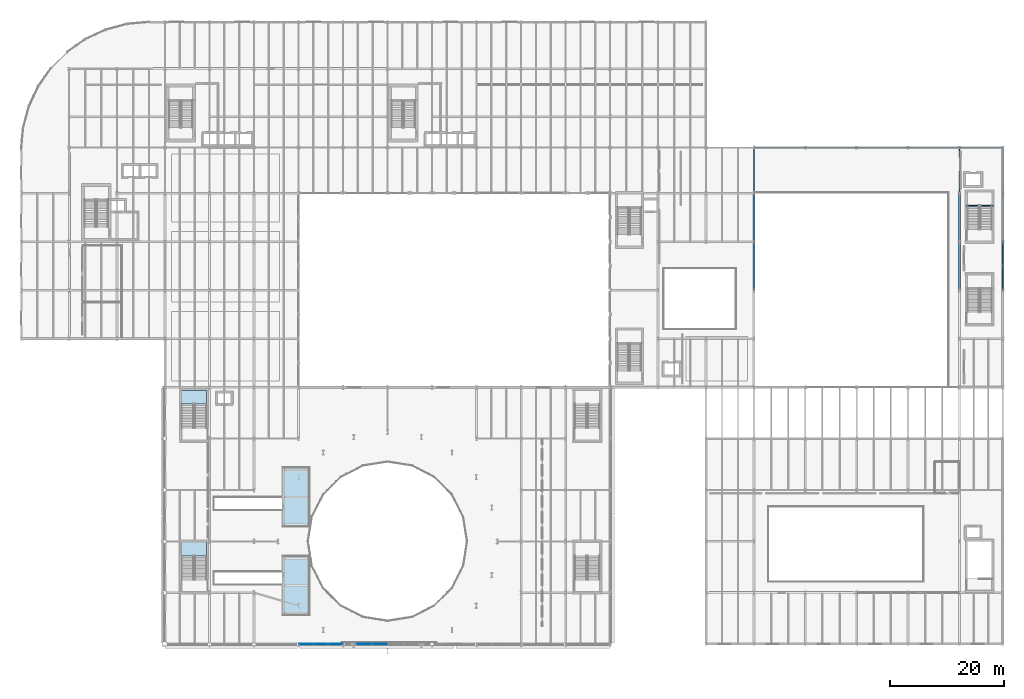
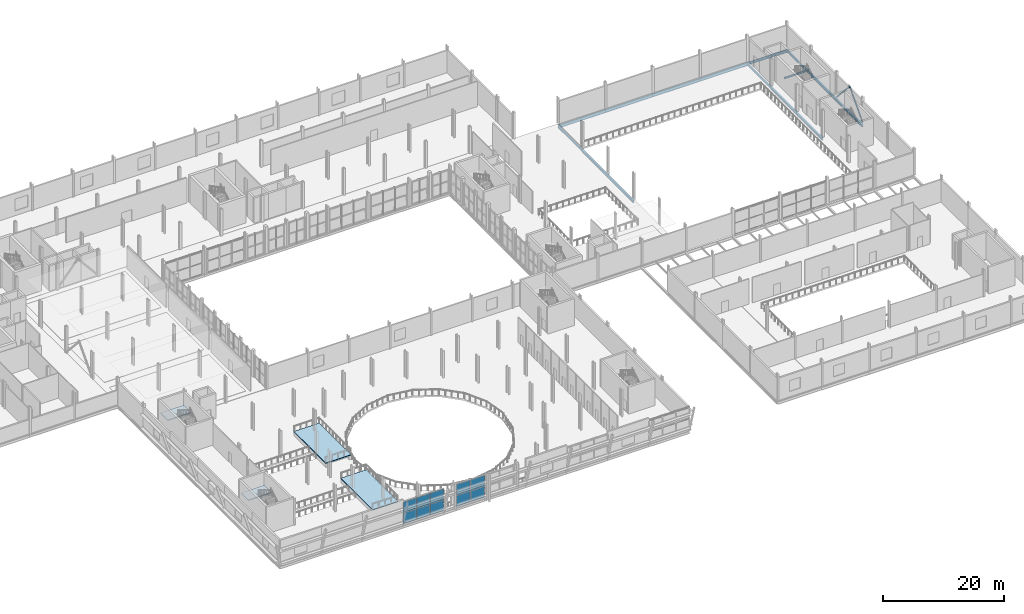
# One storey, part 38 of 78: 15 beams, 10 plates, 4 slabs, 2 members, 4 elements without a shape of their own.
"""IFC4 building model written with IfcOpenShell, lengths in metres."""

from ifc_helpers import new_model, si_unit, direction, frame, origin, origin_2d, place, context, subcontext, project, spatial, polyline, rectangle, hollow_circle, i_section, outline, extrude, material, layer, layer_set, material_profile, profile_set, type_object, element, aggregate, save


model = new_model("IFC4")

# Units and contexts
model_context = context("Model", 3, precision=1e-05, world=origin(), true_north=direction((0.0, 1.0)))
body_context = subcontext(model_context, "Body", "Model", "MODEL_VIEW")
ifc_project = project(units=[si_unit("LENGTHUNIT", "METRE"), si_unit("AREAUNIT", "SQUARE_METRE"), si_unit("VOLUMEUNIT", "CUBIC_METRE"), si_unit("PLANEANGLEUNIT", "RADIAN"), si_unit("MASSUNIT", "GRAM", prefix="KILO")], contexts=[model_context])

# Site, building, storey
site_placement = place(None, origin())
site = spatial("IfcSite", under=ifc_project, at=site_placement, CompositionType="ELEMENT")
building_placement = place(site_placement, origin())
building = spatial("IfcBuilding", under=site, at=building_placement, Name="Sefraquen Railside Congress Hotel", CompositionType="ELEMENT")
storey_placement = place(building_placement, frame((0.0, 0.0, 6.0)))
storey = spatial("IfcBuildingStorey", under=building, at=storey_placement, Name="L01", CompositionType="ELEMENT", Elevation=6.0)

# Beams
ifc_material_1 = material(Name="Steel S355JR", Category="steel")
ifc_material_profile_1 = material_profile(ifc_material_1, i_section(OverallWidth=0.169921875, OverallDepth=0.360107421875, WebThickness=0.008056640625, FlangeThickness=0.0126953125, FilletRadius=0.01806640625, at=origin_2d()), Name="IPE 360")
ifc_profile_set_1 = profile_set([ifc_material_profile_1], Name="Steel S355JR")
beam_type_1 = type_object("IfcBeamType", Name="TB-BM-360", PredefinedType="BEAM", material=ifc_profile_set_1)
beam_1_placement = place(storey_placement, frame((165.60009765625, 85.81005859375, 2.320068359375), z_axis=(1.0, 0.0, 0.0), x_axis=(0.0, 1.0, 0.0)))
element("IfcBeam", 1, at=beam_1_placement, inside=storey, type_object=beam_type_1, Name="Stair ST-B01 L01 mid-landing corbel beam", PredefinedType="BEAM", context=body_context, shape_type="SweptSolid", body=[
    extrude(i_section(OverallWidth=0.169921875, OverallDepth=0.360107421875, WebThickness=0.008056640625, FlangeThickness=0.0126953125, FilletRadius=0.01806640625, at=origin_2d()), origin(), (0.0, 0.0, 1.0), 4.699951171875),
])
ifc_material_profile_2 = material_profile(ifc_material_1, i_section(OverallWidth=0.18994140625, OverallDepth=0.449951171875, WebThickness=0.009521484375, FlangeThickness=0.0146484375, FilletRadius=0.02099609375, at=origin_2d()), Name="IPE 450")
ifc_profile_set_2 = profile_set([ifc_material_profile_2], Name="Steel S355JR")
beam_type_2 = type_object("IfcBeamType", Name="TB-BM-450", PredefinedType="BEAM", material=ifc_profile_set_2)
for number, where, z_axis, x_axis, name in (
    (2, (128.39990234375, 88.0, -0.52490234375), (0.0, 1.0, 0.0), (-1.0, 0.0, 0.0), "Floor beam BM-L01-0645"),
    (3, (164.39990234375, 88.0, -0.52490234375), (0.0, 1.0, 0.0), (-1.0, 0.0, 0.0), "Floor beam BM-L01-0664"),
    (4, (172.0, 88.0, -0.52490234375), (0.0, 1.0, 0.0), (-1.0, 0.0, 0.0), "Floor beam BM-L01-0674"),
):
    element("IfcBeam", number, at=place(storey_placement, frame(where, z_axis=z_axis, x_axis=x_axis)), inside=storey, type_object=beam_type_2, Name=name, PredefinedType="BEAM", context=body_context, shape_type="SweptSolid", body=[
        extrude(i_section(OverallWidth=0.18994140625, OverallDepth=0.449951171875, WebThickness=0.009521484375, FlangeThickness=0.0146484375, FilletRadius=0.02099609375, at=origin_2d()), origin(), (0.0, 0.0, 1.0), 8.0),
    ])
ifc_material_profile_3 = material_profile(ifc_material_1, i_section(OverallWidth=0.199951171875, OverallDepth=0.5, WebThickness=0.01025390625, FlangeThickness=0.01611328125, FilletRadius=0.02099609375, at=origin_2d()), Name="IPE 500")
ifc_profile_set_3 = profile_set([ifc_material_profile_3], Name="Steel S355JR")
beam_type_3 = type_object("IfcBeamType", Name="TB-BM-500", PredefinedType="BEAM", material=ifc_profile_set_3)
beam_2_placement = place(storey_placement, frame((164.39990234375, 96.0, -0.550048828125), z_axis=(1.0, 0.0, 0.0), x_axis=(0.0, 1.0, 0.0)))
element("IfcBeam", 5, at=beam_2_placement, inside=storey, type_object=beam_type_3, Name="Primary girder BM-L01-0468", PredefinedType="BEAM", context=body_context, shape_type="SweptSolid", body=[
    extrude(i_section(OverallWidth=0.199951171875, OverallDepth=0.5, WebThickness=0.01025390625, FlangeThickness=0.01611328125, FilletRadius=0.02099609375, at=origin_2d()), origin(), (0.0, 0.0, 1.0), 7.60009765625),
])
ifc_material_profile_4 = material_profile(ifc_material_1, i_section(OverallWidth=0.300048828125, OverallDepth=0.489990234375, WebThickness=0.011962890625, FlangeThickness=0.02294921875, FilletRadius=0.027099609375, at=origin_2d()), Name="HEA 500")
ifc_profile_set_4 = profile_set([ifc_material_profile_4], Name="Steel S355JR")
beam_type_4 = type_object("IfcBeamType", Name="TB-GIR-500", PredefinedType="T_BEAM", material=ifc_profile_set_4)
for number, where, z_axis, x_axis, name in (
    (6, (128.39990234375, 71.0, -0.544921875), (0.0, 1.0, 0.0), (-1.0, 0.0, 0.0), "Floor beam BM-L01-0643"),
    (7, (128.39990234375, 79.5, -0.544921875), (0.0, 1.0, 0.0), (-1.0, 0.0, 0.0), "Floor beam BM-L01-0644"),
    (8, (164.39990234375, 71.0, -0.544921875), (0.0, 1.0, 0.0), (-1.0, 0.0, 0.0), "Floor beam BM-L01-0662"),
    (9, (164.39990234375, 79.5, -0.544921875), (0.0, 1.0, 0.0), (-1.0, 0.0, 0.0), "Floor beam BM-L01-0663"),
    (10, (172.0, 71.0, -0.544921875), (0.0, 1.0, 0.0), (-1.0, 0.0, 0.0), "Floor beam BM-L01-0672"),
    (11, (172.0, 79.5, -0.544921875), (0.0, 1.0, 0.0), (-1.0, 0.0, 0.0), "Floor beam BM-L01-0673"),
):
    element("IfcBeam", number, at=place(storey_placement, frame(where, z_axis=z_axis, x_axis=x_axis)), inside=storey, type_object=beam_type_4, Name=name, PredefinedType="T_BEAM", context=body_context, shape_type="SweptSolid", body=[
        extrude(i_section(OverallWidth=0.300048828125, OverallDepth=0.489990234375, WebThickness=0.011962890625, FlangeThickness=0.02294921875, FilletRadius=0.027099609375, at=origin_2d()), origin(), (0.0, 0.0, 1.0), 8.5),
    ])
ifc_material_profile_5 = material_profile(ifc_material_1, i_section(OverallWidth=0.219970703125, OverallDepth=0.60009765625, WebThickness=0.011962890625, FlangeThickness=0.01904296875, FilletRadius=0.02392578125, at=origin_2d()), Name="IPE 600")
ifc_profile_set_5 = profile_set([ifc_material_profile_5], Name="Steel S355JR")
beam_type_5 = type_object("IfcBeamType", Name="TB-GIR-600", PredefinedType="T_BEAM", material=ifc_profile_set_5)
for number, where, z_axis, x_axis, name in (
    (12, (128.39990234375, 96.0, -0.60009765625), (1.0, 0.0, 0.0), (0.0, 1.0, 0.0), "Primary girder BM-L01-0464"),
    (13, (137.39990234375, 96.0, -0.60009765625), (1.0, 0.0, 0.0), (0.0, 1.0, 0.0), "Primary girder BM-L01-0465"),
    (14, (146.39990234375, 96.0, -0.60009765625), (1.0, 0.0, 0.0), (0.0, 1.0, 0.0), "Primary girder BM-L01-0466"),
    (15, (155.39990234375, 96.0, -0.60009765625), (1.0, 0.0, 0.0), (0.0, 1.0, 0.0), "Primary girder BM-L01-0467"),
):
    element("IfcBeam", number, at=place(storey_placement, frame(where, z_axis=z_axis, x_axis=x_axis)), inside=storey, type_object=beam_type_5, Name=name, PredefinedType="T_BEAM", context=body_context, shape_type="SweptSolid", body=[
        extrude(i_section(OverallWidth=0.219970703125, OverallDepth=0.60009765625, WebThickness=0.011962890625, FlangeThickness=0.01904296875, FilletRadius=0.02392578125, at=origin_2d()), origin(), (0.0, 0.0, 1.0), 9.0),
    ])

# Members
ifc_material_2 = material(Name="Steel S355J2", Category="steel")
ifc_material_profile_6 = material_profile(ifc_material_2, hollow_circle(Radius=0.136474609375, WallThickness=0.012451171875, at=origin_2d()), Name="CHS 273x12.5")
ifc_profile_set_6 = profile_set([ifc_material_profile_6], Name="Steel S355J2")
member_type = type_object("IfcMemberType", Name="TM-BR-273", PredefinedType="BRACE", material=ifc_profile_set_6)
for number, where, z_axis, x_axis, name in (
    (16, (172.0, 71.0, 0.14990234375), (0.0, 0.674634091144, 0.738152316982), (-1.0, 0.0, 0.0), "Chevron braced-frame diagonal BF3-L L01"),
    (17, (172.0, 79.5, 0.14990234375), (0.0, -0.674634091144, 0.738152316982), (1.0, 0.0, 0.0), "Chevron braced-frame diagonal BF3-R L01"),
):
    element("IfcMember", number, at=place(storey_placement, frame(where, z_axis=z_axis, x_axis=x_axis)), inside=storey, type_object=member_type, Name=name, PredefinedType="BRACE", context=body_context, shape_type="SweptSolid", body=[
        extrude(hollow_circle(Radius=0.136474609375, WallThickness=0.012451171875, at=origin_2d()), origin(), (0.0, 0.0, 1.0), 6.2998046875),
    ])

# Curtain wall, plates
ifc_material_3 = material(Name="Thermally broken anodised aluminium and low-E double glazing", Category="aluminium")
ifc_layer_1 = layer(ifc_material_3, 0.199951171875)
ifc_layer_set_1 = layer_set([ifc_layer_1], Name="Thermally broken anodised aluminium and low-E double glazing")
curtain_wall_type_1 = type_object("IfcCurtainWallType", Name="TCW-UCW-05", PredefinedType="USERDEFINED", material=ifc_layer_set_1)
curtain_wall_1_placement = place(storey_placement, origin())
curtain_wall_1 = element("IfcCurtainWall", 18, at=curtain_wall_1_placement, inside=storey, type_object=curtain_wall_type_1, Name="Congress leaning south curtain wall L01-4", ObjectType="UNITISED CURTAIN WALL", PredefinedType="USERDEFINED")
ifc_material_4 = material(Name="Solar-control low-E double glazing", Category="glass")
ifc_layer_2 = layer(ifc_material_4, 0.02392578125)
ifc_layer_set_2 = layer_set([ifc_layer_2], Name="Solar-control low-E double glazing")
plate_type_1 = type_object("IfcPlateType", Name="TP-CWP-01", PredefinedType="CURTAIN_PANEL", material=ifc_layer_set_2)
plate_1_placement = place(storey_placement, frame((49.9267578125, 9.0, 0.0400390625), z_axis=(0.0, 0.0, 1.0), x_axis=(1.0, 0.0, 0.0)))
plate_1 = element("IfcPlate", 19, at=plate_1_placement, type_object=plate_type_1, Name="CW-L01-037 panel 1.1", PredefinedType="CURTAIN_PANEL", context=body_context, shape_type="SweptSolid", body=[
    extrude(rectangle(XDim=2.4833984375, YDim=0.02392578125, at=origin_2d()), origin(), (0.0, 0.0, 1.0), 2.169921875),
])
plate_2_placement = place(storey_placement, frame((52.5, 9.0, 0.0400390625), z_axis=(0.0, 0.0, 1.0), x_axis=(1.0, 0.0, 0.0)))
plate_2 = element("IfcPlate", 20, at=plate_2_placement, type_object=plate_type_1, Name="CW-L01-037 panel 1.2", PredefinedType="CURTAIN_PANEL", context=body_context, shape_type="SweptSolid", body=[
    extrude(rectangle(XDim=2.4833984375, YDim=0.02392578125, at=origin_2d()), origin(), (0.0, 0.0, 1.0), 2.169921875),
])
plate_3_placement = place(storey_placement, frame((55.0732421875, 9.0, 0.0400390625), z_axis=(0.0, 0.0, 1.0), x_axis=(1.0, 0.0, 0.0)))
plate_3 = element("IfcPlate", 21, at=plate_3_placement, type_object=plate_type_1, Name="CW-L01-037 panel 1.3", PredefinedType="CURTAIN_PANEL", context=body_context, shape_type="SweptSolid", body=[
    extrude(rectangle(XDim=2.4833984375, YDim=0.02392578125, at=origin_2d()), origin(), (0.0, 0.0, 1.0), 2.169921875),
])

ifc_layer_3 = layer(ifc_material_3, 0.199951171875)
ifc_layer_set_3 = layer_set([ifc_layer_3], Name="Thermally broken anodised aluminium and low-E double glazing")
curtain_wall_type_2 = type_object("IfcCurtainWallType", Name="TCW-UCW-06", PredefinedType="USERDEFINED", material=ifc_layer_set_3)
curtain_wall_2_placement = place(storey_placement, origin())
curtain_wall_2 = element("IfcCurtainWall", 22, at=curtain_wall_2_placement, inside=storey, type_object=curtain_wall_type_2, Name="Congress leaning south curtain wall L01-5", ObjectType="UNITISED CURTAIN WALL", PredefinedType="USERDEFINED")
plate_4_placement = place(storey_placement, frame((60.10009765625, 9.0, 0.0400390625), z_axis=(0.0, 0.0, 1.0), x_axis=(1.0, 0.0, 0.0)))
plate_4 = element("IfcPlate", 23, at=plate_4_placement, type_object=plate_type_1, Name="CW-L01-038 panel 1.1", PredefinedType="CURTAIN_PANEL", context=body_context, shape_type="SweptSolid", body=[
    extrude(rectangle(XDim=2.61669921875, YDim=0.02392578125, at=origin_2d()), origin(), (0.0, 0.0, 1.0), 2.169921875),
])
plate_5_placement = place(storey_placement, frame((62.806640625, 9.0, 0.0400390625), z_axis=(0.0, 0.0, 1.0), x_axis=(1.0, 0.0, 0.0)))
plate_5 = element("IfcPlate", 24, at=plate_5_placement, type_object=plate_type_1, Name="CW-L01-038 panel 1.2", PredefinedType="CURTAIN_PANEL", context=body_context, shape_type="SweptSolid", body=[
    extrude(rectangle(XDim=2.61669921875, YDim=0.02392578125, at=origin_2d()), origin(), (0.0, 0.0, 1.0), 2.169921875),
])

# Plate
ifc_material_5 = material(Name="Triple acoustic solar-control glazing", Category="glass")
ifc_layer_4 = layer(ifc_material_5, 0.031982421875)
ifc_layer_set_4 = layer_set([ifc_layer_4], Name="Triple acoustic solar-control glazing")
plate_type_2 = type_object("IfcPlateType", Name="TP-CWP-02", PredefinedType="CURTAIN_PANEL", material=ifc_layer_set_4)
plate_6_placement = place(storey_placement, frame((49.9267578125, 9.0, 2.2900390625), z_axis=(0.0, 0.0, 1.0), x_axis=(1.0, 0.0, 0.0)))
plate_6 = element("IfcPlate", 25, at=plate_6_placement, type_object=plate_type_2, Name="CW-L01-037 panel 2.1", PredefinedType="CURTAIN_PANEL", context=body_context, shape_type="SweptSolid", body=[
    extrude(rectangle(XDim=2.4833984375, YDim=0.031982421875, at=origin_2d()), origin(), (0.0, 0.0, 1.0), 2.169921875),
])

plate_7_placement = place(storey_placement, frame((52.5, 9.0, 2.2900390625), z_axis=(0.0, 0.0, 1.0), x_axis=(1.0, 0.0, 0.0)))
plate_7 = element("IfcPlate", 26, at=plate_7_placement, type_object=plate_type_2, Name="CW-L01-037 panel 2.2", PredefinedType="CURTAIN_PANEL", context=body_context, shape_type="SweptSolid", body=[
    extrude(rectangle(XDim=2.4833984375, YDim=0.031982421875, at=origin_2d()), origin(), (0.0, 0.0, 1.0), 2.169921875),
])

plate_8_placement = place(storey_placement, frame((55.0732421875, 9.0, 2.2900390625), z_axis=(0.0, 0.0, 1.0), x_axis=(1.0, 0.0, 0.0)))
plate_8 = element("IfcPlate", 27, at=plate_8_placement, type_object=plate_type_2, Name="CW-L01-037 panel 2.3", PredefinedType="CURTAIN_PANEL", context=body_context, shape_type="SweptSolid", body=[
    extrude(rectangle(XDim=2.4833984375, YDim=0.031982421875, at=origin_2d()), origin(), (0.0, 0.0, 1.0), 2.169921875),
])

aggregate(curtain_wall_1, [plate_1, plate_2, plate_3, plate_6, plate_7, plate_8])

plate_9_placement = place(storey_placement, frame((60.10009765625, 9.0, 2.2900390625), z_axis=(0.0, 0.0, 1.0), x_axis=(1.0, 0.0, 0.0)))
plate_9 = element("IfcPlate", 28, at=plate_9_placement, type_object=plate_type_2, Name="CW-L01-038 panel 2.1", PredefinedType="CURTAIN_PANEL", context=body_context, shape_type="SweptSolid", body=[
    extrude(rectangle(XDim=2.61669921875, YDim=0.031982421875, at=origin_2d()), origin(), (0.0, 0.0, 1.0), 2.169921875),
])

plate_10_placement = place(storey_placement, frame((62.806640625, 9.0, 2.2900390625), z_axis=(0.0, 0.0, 1.0), x_axis=(1.0, 0.0, 0.0)))
plate_10 = element("IfcPlate", 29, at=plate_10_placement, type_object=plate_type_2, Name="CW-L01-038 panel 2.2", PredefinedType="CURTAIN_PANEL", context=body_context, shape_type="SweptSolid", body=[
    extrude(rectangle(XDim=2.61669921875, YDim=0.031982421875, at=origin_2d()), origin(), (0.0, 0.0, 1.0), 2.169921875),
])

aggregate(curtain_wall_2, [plate_4, plate_5, plate_9, plate_10])

# Stair, slab
ifc_material_6 = material(Name="Concrete C40/50", Category="concrete")
stair_type_1 = type_object("IfcStairType", Name="TST-DOG-210-600", PredefinedType="HALF_TURN_STAIR", material=ifc_material_6)
stair_1_placement = place(storey_placement, origin())
stair_1 = element("IfcStair", 30, at=stair_1_placement, inside=storey, type_object=stair_type_1, Name="L01 Pressurized escape stair ST-C01", PredefinedType="HALF_TURN_STAIR")
ifc_layer_5 = layer(ifc_material_6, 0.199951171875)
ifc_layer_set_5 = layer_set([ifc_layer_5], Name="Concrete C40/50")
slab_type_1 = type_object("IfcSlabType", Name="TS-LD-200", PredefinedType="LANDING", material=ifc_layer_set_5)
slab_1_placement = place(storey_placement, frame((0.0, 0.0, 2.5)))
slab_1 = element("IfcSlab", 31, at=slab_1_placement, type_object=slab_type_1, Name="ST-C01 landing 1", PredefinedType="LANDING", context=body_context, shape_type="SweptSolid", body=[
    extrude(outline(polyline([(32.5, 24.4599609375), (32.5, 26.840087890625), (28.10009765625, 26.840087890625), (28.10009765625, 24.4599609375), (32.5, 24.4599609375)])), origin(), (0.0, 0.0, 1.0), 0.199951171875),
])
aggregate(stair_1, [slab_1])

stair_type_2 = type_object("IfcStairType", Name="TST-DOG-210-540", PredefinedType="HALF_TURN_STAIR", material=ifc_material_6)
stair_2_placement = place(storey_placement, origin())
stair_2 = element("IfcStair", 32, at=stair_2_placement, inside=storey, type_object=stair_type_2, Name="L01 Pressurized escape stair ST-C02", PredefinedType="HALF_TURN_STAIR")
slab_2_placement = place(storey_placement, frame((0.0, 0.0, 2.5)))
slab_2 = element("IfcSlab", 33, at=slab_2_placement, type_object=slab_type_1, Name="ST-C02 landing 1", PredefinedType="LANDING", context=body_context, shape_type="SweptSolid", body=[
    extrude(outline(polyline([(32.5, 51.050048828125), (32.5, 53.429931640625), (28.10009765625, 53.429931640625), (28.10009765625, 51.050048828125), (32.5, 51.050048828125)])), origin(), (0.0, 0.0, 1.0), 0.199951171875),
])
aggregate(stair_2, [slab_2])

# Slabs
ifc_material_7 = material(Name="Precast concrete C40/50", Category="concrete")
ifc_layer_6 = layer(ifc_material_7, 0.159912109375)
ifc_layer_set_6 = layer_set([ifc_layer_6], Name="Precast concrete C40/50")
slab_type_2 = type_object("IfcSlabType", Name="TS-ST-160", PredefinedType="USERDEFINED", material=ifc_layer_set_6)
slab_3_placement = place(storey_placement, frame((0.0, 0.0, 0.739990234375)))
element("IfcSlab", 34, at=slab_3_placement, inside=storey, type_object=slab_type_2, Name="Stand upper tier 1", ObjectType="SEATING TIER", PredefinedType="USERDEFINED", context=body_context, shape_type="SweptSolid", body=[
    extrude(outline(polyline([(45.75, 14.0), (50.60009765625, 14.0), (50.60009765625, 24.5), (45.75, 24.5), (45.75, 14.0)])), origin(), (0.0, 0.0, 1.0), 0.159912109375),
])
slab_4_placement = place(storey_placement, frame((0.0, 0.0, 0.739990234375)))
element("IfcSlab", 35, at=slab_4_placement, inside=storey, type_object=slab_type_2, Name="Stand upper tier 2", ObjectType="SEATING TIER", PredefinedType="USERDEFINED", context=body_context, shape_type="SweptSolid", body=[
    extrude(outline(polyline([(45.75, 29.5), (50.60009765625, 29.5), (50.60009765625, 40.0), (45.75, 40.0), (45.75, 29.5)])), origin(), (0.0, 0.0, 1.0), 0.159912109375),
])

save(model, "model.ifc")
